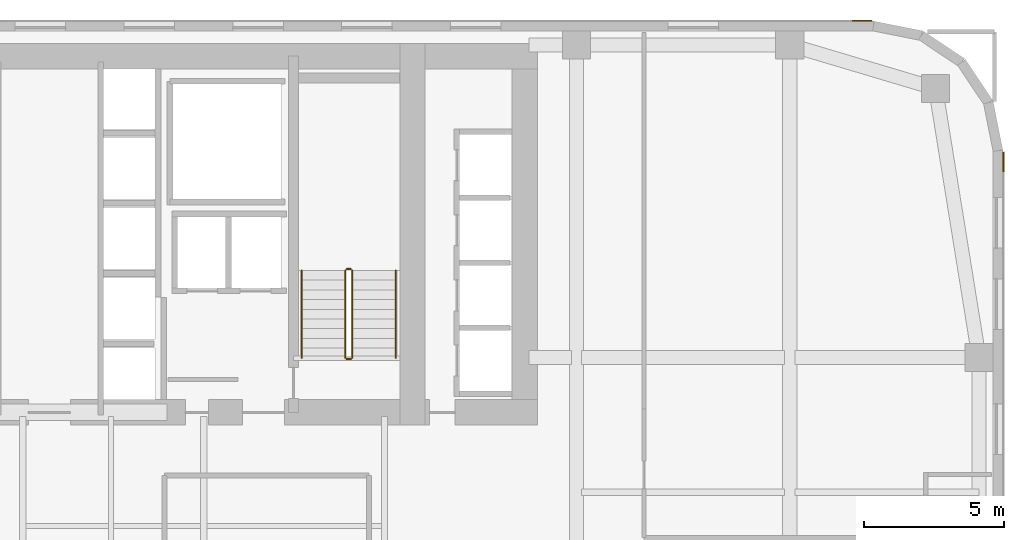
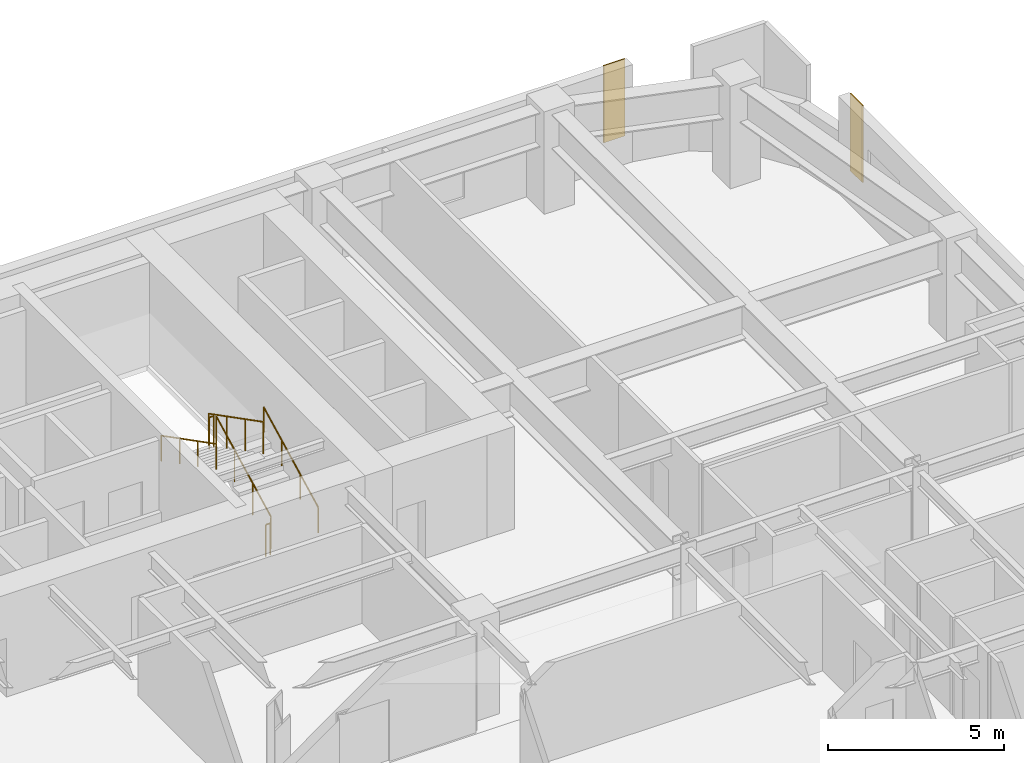
# One storey, part 25 of 25: 6 railings, 2 coverings.
"""IFC4 building model written with IfcOpenShell, lengths in metres."""

from ifc_helpers import new_model, si_unit, direction, frame, origin, origin_2d, place, context, subcontext, project, spatial, polyline, circle, outline, extrude, material, layer, layer_set, type_object, element, save


model = new_model("IFC4")

# Units and contexts
model_context = context("Model", 3, precision=1e-05, world=origin(), true_north=direction((0.0, 1.0)))
body_context = subcontext(model_context, "Body", "Model", "MODEL_VIEW")
ifc_project = project(units=[si_unit("LENGTHUNIT", "METRE"), si_unit("AREAUNIT", "SQUARE_METRE"), si_unit("VOLUMEUNIT", "CUBIC_METRE"), si_unit("PLANEANGLEUNIT", "RADIAN"), si_unit("MASSUNIT", "GRAM", prefix="KILO")], contexts=[model_context])

# Site, building, storey
site_placement = place(None, origin())
site = spatial("IfcSite", under=ifc_project, at=site_placement, CompositionType="ELEMENT")
building_placement = place(site_placement, origin())
building = spatial("IfcBuilding", under=site, at=building_placement, Name="Tolvann Quenvar Hotel", CompositionType="ELEMENT")
storey_placement = place(building_placement, frame((0.0, 0.0, 39.10009765625)))
storey = spatial("IfcBuildingStorey", under=building, at=storey_placement, Name="L08", CompositionType="ELEMENT", Elevation=39.10009765625)

# Coverings
ifc_material_1 = material(Name="Kiln-fired red architectural face brick cladding", Category="masonry")
ifc_layer = layer(ifc_material_1, 0.0400390625)
ifc_layer_set = layer_set([ifc_layer], Name="Kiln-fired red architectural face brick cladding")
covering_type = type_object("IfcCoveringType", Name="COV_CLAD_BRICK_40", PredefinedType="CLADDING", material=ifc_layer_set)
covering_1_placement = place(storey_placement, frame((0.0, 0.0, 0.699951171875)))
element("IfcCovering", 1, at=covering_1_placement, inside=storey, type_object=covering_type, Name="Brick Pier Cladding (L08-E13-P2)", PredefinedType="CLADDING", context=body_context, shape_type="SweptSolid", body=[
    extrude(outline(polyline([(57.0, 40.6328125), (57.0, 41.332763671875), (57.0400390625, 41.332763671875), (57.0400390625, 40.6328125), (57.0, 40.6328125)])), origin(), (0.0, 0.0, 1.0), 2.669921875),
])
covering_2_placement = place(storey_placement, frame((0.0, 0.0, 0.699951171875)))
element("IfcCovering", 2, at=covering_2_placement, inside=storey, type_object=covering_type, Name="Brick Pier Cladding (L08-E18-P1)", PredefinedType="CLADDING", context=body_context, shape_type="SweptSolid", body=[
    extrude(outline(polyline([(52.332763671875, 46.0), (51.6328125, 46.0), (51.6328125, 46.0400390625), (52.332763671875, 46.0400390625), (52.332763671875, 46.0)])), origin(), (0.0, 0.0, 1.0), 2.669921875),
])

# Railings
ifc_material_2 = material(Name="Brushed 316 stainless steel balustrade and handrail", Category="steel")
railing_type_1 = type_object("IfcRailingType", Name="GUARDRAIL", PredefinedType="GUARDRAIL", material=ifc_material_2)
railing_1_placement = place(storey_placement, frame((33.800048828125, 34.0, 0.177490234375)))
element("IfcRailing", 3, at=railing_1_placement, inside=storey, type_object=railing_type_1, Name="L08 ST-C2 stair guard 1", PredefinedType="GUARDRAIL", context=body_context, shape_type="SweptSolid", body=[
    extrude(circle(Radius=0.02392578125, at=origin_2d()), frame((0.0, 0.0, 1.09619140625), z_axis=(0.0, 0.889221982265, 0.45747597342), x_axis=(-1.0, 0.0, 0.0)), (0.0, 0.0, 1.0), 3.49169921875),
    extrude(circle(Radius=0.02099609375, at=origin_2d()), origin(), (0.0, 0.0, 1.0), 1.072021484375),
    extrude(circle(Radius=0.02099609375, at=origin_2d()), frame((0.0, 1.034912109375, 0.532470703125)), (0.0, 0.0, 1.0), 1.072021484375),
    extrude(circle(Radius=0.02099609375, at=origin_2d()), frame((0.0, 2.070068359375, 1.06494140625)), (0.0, 0.0, 1.0), 1.072021484375),
    extrude(circle(Radius=0.02099609375, at=origin_2d()), frame((0.0, 3.10498046875, 1.597412109375)), (0.0, 0.0, 1.0), 1.072021484375),
])
railing_2_placement = place(storey_placement, frame((33.75, 37.155029296875, 1.77490234375)))
element("IfcRailing", 4, at=railing_2_placement, inside=storey, type_object=railing_type_1, Name="L08 ST-C2 stair guard 2", PredefinedType="GUARDRAIL", context=body_context, shape_type="SweptSolid", body=[
    extrude(circle(Radius=0.02392578125, at=origin_2d()), frame((0.0, 0.0, 1.09619140625), z_axis=(-1.0, 0.0, 0.0), x_axis=(0.0, -1.0, 0.0)), (0.0, 0.0, 1.0), 0.14990234375),
    extrude(circle(Radius=0.02099609375, at=origin_2d()), origin(), (0.0, 0.0, 1.0), 1.072021484375),
    extrude(circle(Radius=0.02099609375, at=origin_2d()), frame((-0.14990234375, 0.0, 0.0)), (0.0, 0.0, 1.0), 1.072021484375),
])
railing_3_placement = place(storey_placement, frame((33.550048828125, 37.10498046875, 1.952392578125)))
element("IfcRailing", 5, at=railing_3_placement, inside=storey, type_object=railing_type_1, Name="L08 ST-C2 stair guard 3", PredefinedType="GUARDRAIL", context=body_context, shape_type="SweptSolid", body=[
    extrude(circle(Radius=0.02392578125, at=origin_2d()), frame((0.0, 0.0, 1.09619140625), z_axis=(0.0, -0.889221982265, 0.45747597342), x_axis=(1.0, 0.0, 0.0)), (0.0, 0.0, 1.0), 3.49169921875),
    extrude(circle(Radius=0.02099609375, at=origin_2d()), origin(), (0.0, 0.0, 1.0), 1.072021484375),
    extrude(circle(Radius=0.02099609375, at=origin_2d()), frame((0.0, -1.034912109375, 0.532470703125)), (0.0, 0.0, 1.0), 1.072021484375),
    extrude(circle(Radius=0.02099609375, at=origin_2d()), frame((0.0, -2.070068359375, 1.06494140625)), (0.0, 0.0, 1.0), 1.072021484375),
    extrude(circle(Radius=0.02099609375, at=origin_2d()), frame((0.0, -3.10498046875, 1.597412109375)), (0.0, 0.0, 1.0), 1.072021484375),
])
railing_4_placement = place(storey_placement, frame((33.75, 33.949951171875, 0.0)))
element("IfcRailing", 6, at=railing_4_placement, inside=storey, type_object=railing_type_1, Name="L08 ST-C2 stair guard 4", PredefinedType="GUARDRAIL", context=body_context, shape_type="SweptSolid", body=[
    extrude(circle(Radius=0.02392578125, at=origin_2d()), frame((0.0, 0.0, 1.09619140625), z_axis=(-1.0, 0.0, 0.0), x_axis=(0.0, -1.0, 0.0)), (0.0, 0.0, 1.0), 0.14990234375),
    extrude(circle(Radius=0.02099609375, at=origin_2d()), origin(), (0.0, 0.0, 1.0), 1.072021484375),
    extrude(circle(Radius=0.02099609375, at=origin_2d()), frame((-0.14990234375, 0.0, 0.0)), (0.0, 0.0, 1.0), 1.072021484375),
])
railing_type_2 = type_object("IfcRailingType", Name="HANDRAIL", PredefinedType="HANDRAIL", material=ifc_material_2)
railing_5_placement = place(storey_placement, frame((35.35009765625, 34.0, 0.177490234375)))
element("IfcRailing", 7, at=railing_5_placement, inside=storey, type_object=railing_type_2, Name="L08 ST-C2 stair handrail 1", PredefinedType="HANDRAIL", context=body_context, shape_type="SweptSolid", body=[
    extrude(circle(Radius=0.02392578125, at=origin_2d()), frame((0.0, 0.0, 0.8759765625), z_axis=(0.0, 0.889221982265, 0.45747597342), x_axis=(-1.0, 0.0, 0.0)), (0.0, 0.0, 1.0), 3.49169921875),
    extrude(circle(Radius=0.02099609375, at=origin_2d()), origin(), (0.0, 0.0, 1.0), 0.851806640625),
    extrude(circle(Radius=0.02099609375, at=origin_2d()), frame((0.0, 1.034912109375, 0.532470703125)), (0.0, 0.0, 1.0), 0.851806640625),
    extrude(circle(Radius=0.02099609375, at=origin_2d()), frame((0.0, 2.070068359375, 1.06494140625)), (0.0, 0.0, 1.0), 0.851806640625),
    extrude(circle(Radius=0.02099609375, at=origin_2d()), frame((0.0, 3.10498046875, 1.597412109375)), (0.0, 0.0, 1.0), 0.851806640625),
])
railing_6_placement = place(storey_placement, frame((32.0, 37.10498046875, 1.952392578125)))
element("IfcRailing", 8, at=railing_6_placement, inside=storey, type_object=railing_type_2, Name="L08 ST-C2 stair handrail 2", PredefinedType="HANDRAIL", context=body_context, shape_type="SweptSolid", body=[
    extrude(circle(Radius=0.02392578125, at=origin_2d()), frame((0.0, 0.0, 0.8759765625), z_axis=(0.0, -0.889221982265, 0.45747597342), x_axis=(1.0, 0.0, 0.0)), (0.0, 0.0, 1.0), 3.49169921875),
    extrude(circle(Radius=0.02099609375, at=origin_2d()), origin(), (0.0, 0.0, 1.0), 0.851806640625),
    extrude(circle(Radius=0.02099609375, at=origin_2d()), frame((0.0, -1.034912109375, 0.532470703125)), (0.0, 0.0, 1.0), 0.851806640625),
    extrude(circle(Radius=0.02099609375, at=origin_2d()), frame((0.0, -2.070068359375, 1.06494140625)), (0.0, 0.0, 1.0), 0.851806640625),
    extrude(circle(Radius=0.02099609375, at=origin_2d()), frame((0.0, -3.10498046875, 1.597412109375)), (0.0, 0.0, 1.0), 0.851806640625),
])

save(model, "model.ifc")
